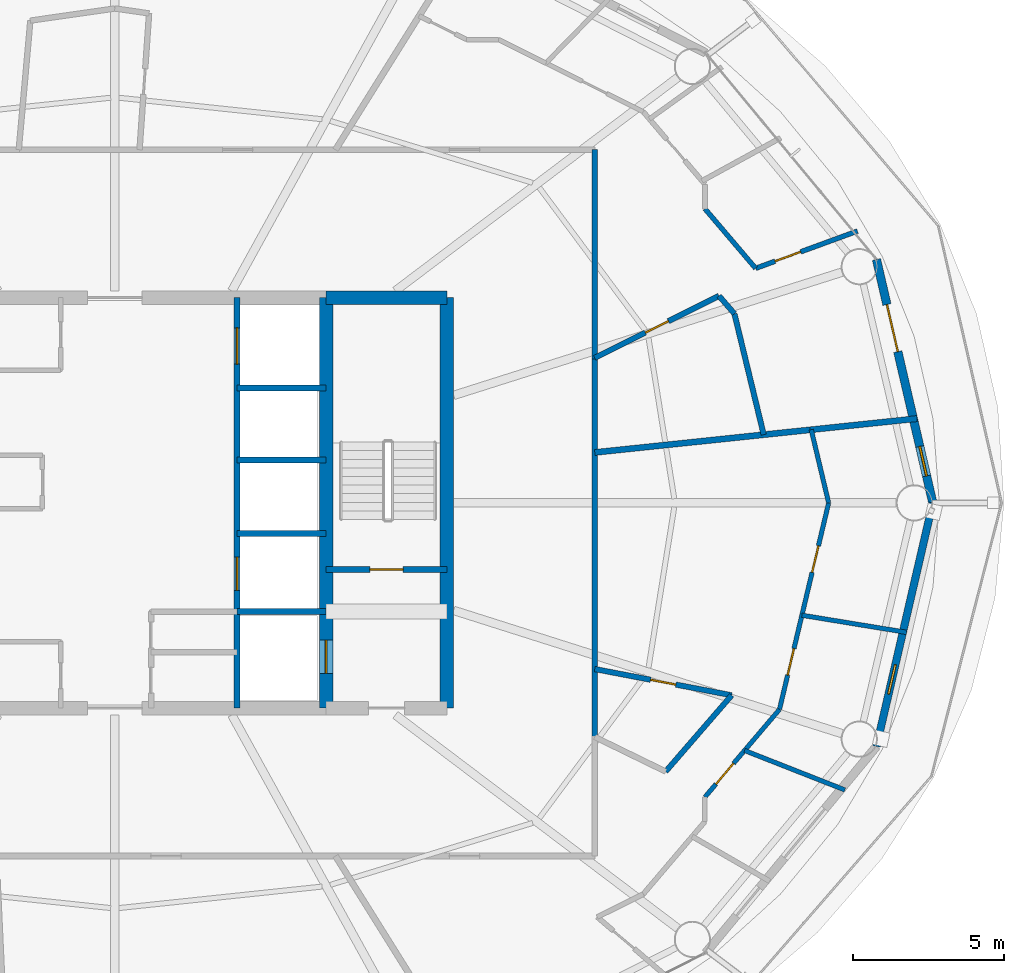
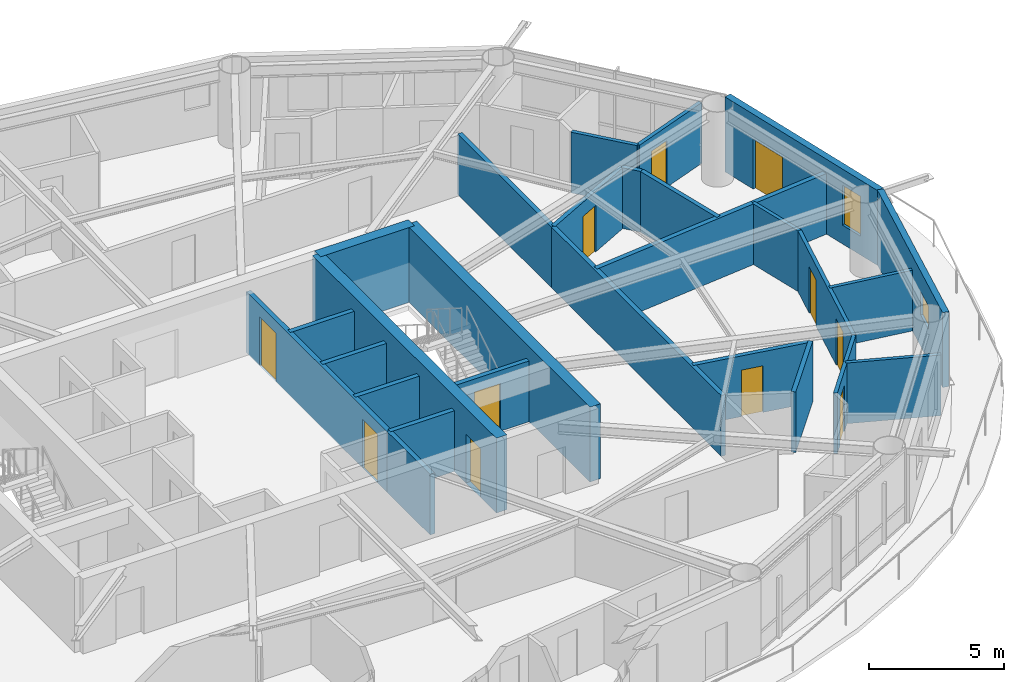
# One storey, part 23 of 28: 28 walls, 11 doors, 2 windows, 13 openings.
"""IFC4 building model written with IfcOpenShell, lengths in metres."""

from ifc_helpers import new_model, si_unit, direction, frame, frame_2d, origin, place, context, subcontext, project, spatial, rectangle, extrude, material, layer, layer_set, type_object, element, fill, save


model = new_model("IFC4")

# Units and contexts
model_context = context("Model", 3, precision=1e-05, world=origin(), true_north=direction((0.0, 1.0)))
body_context = subcontext(model_context, "Body", "Model", "MODEL_VIEW")
ifc_project = project(units=[si_unit("LENGTHUNIT", "METRE"), si_unit("AREAUNIT", "SQUARE_METRE"), si_unit("VOLUMEUNIT", "CUBIC_METRE"), si_unit("PLANEANGLEUNIT", "RADIAN"), si_unit("MASSUNIT", "GRAM", prefix="KILO")], contexts=[model_context])

# Site, building, storey
site_placement = place(None, origin())
site = spatial("IfcSite", under=ifc_project, at=site_placement, CompositionType="ELEMENT")
building_placement = place(site_placement, origin())
building = spatial("IfcBuilding", under=site, at=building_placement, Name="Sarneth Arch Tower", CompositionType="ELEMENT")
storey_placement = place(building_placement, frame((0.0, 0.0, 190.199951171875)))
storey = spatial("IfcBuildingStorey", under=building, at=storey_placement, Name="L48", CompositionType="ELEMENT", Elevation=190.199951171875)

# Walls
ifc_material_1 = material(Name="Concrete C50/60", Category="concrete")
ifc_layer_1 = layer(ifc_material_1, 0.449951171875)
ifc_layer_set_1 = layer_set([ifc_layer_1], Name="Concrete C50/60")
wall_type_1 = type_object("IfcWallType", Name="WALL-CORE-450", PredefinedType="SHEAR", material=ifc_layer_set_1)
wall_1_placement = place(storey_placement, frame((55.0, 48.800048828125, 0.0), z_axis=(0.0, 0.0, 1.0), x_axis=(1.0, 0.0, 0.0)))
element("IfcWall", 1, at=wall_1_placement, inside=storey, type_object=wall_type_1, Name="L48 Core shear wall N-E", PredefinedType="SHEAR", context=body_context, shape_type="SweptSolid", body=[
    extrude(rectangle(XDim=4.0, YDim=0.449951171875, at=frame_2d((2.0, 0.0))), origin(), (0.0, 0.0, 1.0), 3.380126953125),
])
wall_2_placement = place(storey_placement, frame((59.0, 35.199951171875, 0.0), z_axis=(0.0, 0.0, 1.0), x_axis=(0.0, 1.0, 0.0)))
element("IfcWall", 2, at=wall_2_placement, inside=storey, type_object=wall_type_1, Name="L48 Core shear wall E", PredefinedType="SHEAR", context=body_context, shape_type="SweptSolid", body=[
    extrude(rectangle(XDim=13.60009765625, YDim=0.449951171875, at=frame_2d((6.800048828125, 0.0))), origin(), (0.0, 0.0, 1.0), 3.380126953125),
])

# Wall, opening, door
wall_3_placement = place(storey_placement, frame((55.0, 35.199951171875, 0.0), z_axis=(0.0, 0.0, 1.0), x_axis=(0.0, 1.0, 0.0)))
wall_3 = element("IfcWall", 3, at=wall_3_placement, inside=storey, type_object=wall_type_1, Name="L48 Core shear wall WEB-E", PredefinedType="SHEAR", context=body_context, shape_type="SweptSolid", body=[
    extrude(rectangle(XDim=13.60009765625, YDim=0.449951171875, at=frame_2d((6.800048828125, 0.0))), origin(), (0.0, 0.0, 1.0), 3.380126953125),
])
opening_1_placement = place(wall_3_placement, frame((1.14990234375, 0.0, 0.0)))
opening_1 = element("IfcOpeningElement", 4, at=opening_1_placement, cuts=wall_3, Name="Opening LD-1", PredefinedType="OPENING", context=body_context, shape_type="SweptSolid", body=[
    extrude(rectangle(XDim=1.10009765625, YDim=2.199951171875, at=frame_2d((0.550048828125, 1.10009765625))), frame((0.0, 0.23486328125, 0.0), z_axis=(0.0, -1.0, 0.0), x_axis=(1.0, 0.0, 0.0)), (0.0, 0.0, 1.0), 0.469970703125),
])
ifc_material_2 = material(Name="Brushed Stainless Steel 304 lift landing door", Category="steel")
door_type_1 = type_object("IfcDoorType", Name="DR-LIFT-SLIDE-1100", OperationType="SLIDING_TO_LEFT", PredefinedType="DOOR", material=ifc_material_2)
door_1_placement = place(opening_1_placement, origin())
door_1 = element("IfcDoor", 5, at=door_1_placement, inside=storey, type_object=door_type_1, Name="L48 Firefighting lift landing door FL-2", OperationType="SLIDING_TO_RIGHT", OverallHeight=2.199951171875, OverallWidth=1.10009765625, PredefinedType="DOOR", context=body_context, shape_type="SweptSolid", body=[
    extrude(rectangle(XDim=1.10009765625, YDim=2.199951171875, at=frame_2d((0.550048828125, 1.10009765625))), frame((0.0, 0.02490234375, 0.0), z_axis=(0.0, -1.0, 0.0), x_axis=(1.0, 0.0, 0.0)), (0.0, 0.0, 1.0), 0.050048828125),
])
fill(opening_1, door_1)

# Walls
ifc_material_3 = material(Name="Double steel-stud corridor fire wall", Category="steel")
ifc_layer_2 = layer(ifc_material_3, 0.18994140625)
ifc_layer_set_2 = layer_set([ifc_layer_2], Name="Double steel-stud corridor fire wall")
wall_type_2 = type_object("IfcWallType", Name="WALL-CORR-190", PredefinedType="PARTITIONING", material=ifc_layer_set_2)
wall_4_placement = place(storey_placement, frame((63.89990234375, 46.841064453125, 0.0), z_axis=(0.0, 0.0, 1.0), x_axis=(0.0, -1.0, 0.0)))
element("IfcWall", 6, at=wall_4_placement, inside=storey, type_object=wall_type_2, Name="L48 Interior partition W-L48-TP-018", PredefinedType="PARTITIONING", context=body_context, shape_type="SweptSolid", body=[
    extrude(rectangle(XDim=12.631591796875, YDim=0.18994140625, at=frame_2d((6.31591796875, 0.0))), origin(), (0.0, 0.0, 1.0), 2.739990234375),
])
wall_5_placement = place(storey_placement, frame((63.89990234375, 53.699951171875, 0.0), z_axis=(0.0, 0.0, 1.0), x_axis=(0.0, -1.0, 0.0)))
element("IfcWall", 7, at=wall_5_placement, inside=storey, type_object=wall_type_2, Name="L48 Interior partition W-L48-TP-002", PredefinedType="PARTITIONING", context=body_context, shape_type="SweptSolid", body=[
    extrude(rectangle(XDim=6.9306640625, YDim=0.18994140625, at=frame_2d((3.46533203125, 0.0))), origin(), (0.0, 0.0, 1.0), 2.739990234375),
])

# Wall, opening, window
ifc_material_4 = material(Name="Extruded terracotta rainscreen on Concrete C40/50 backing", Category="masonry")
ifc_layer_3 = layer(ifc_material_4, 0.25)
ifc_layer_set_3 = layer_set([ifc_layer_3], Name="Extruded terracotta rainscreen on Concrete C40/50 backing")
wall_type_3 = type_object("IfcWallType", Name="WALL-EXT-SPAND-250", PredefinedType="SOLIDWALL", material=ifc_layer_set_3)
wall_6_placement = place(storey_placement, frame((73.232421875, 33.93310546875, 0.0), z_axis=(0.0, 0.0, 1.0), x_axis=(0.225473184558, 0.974249374157, 0.0)))
wall_6 = element("IfcWall", 8, at=wall_6_placement, inside=storey, type_object=wall_type_3, Name="L48 Terracotta perimeter wall 16", PredefinedType="SOLIDWALL", context=body_context, shape_type="SweptSolid", body=[
    extrude(rectangle(XDim=8.280029296875, YDim=0.25, at=frame_2d((4.14013671875, 0.0))), origin(), (0.0, 0.0, 1.0), 3.380126953125),
])
opening_2_placement = place(wall_6_placement, frame((1.7763671875, 0.0, 1.419921875)))
opening_2 = element("IfcOpeningElement", 9, at=opening_2_placement, cuts=wall_6, Name="Opening W-14", PredefinedType="OPENING", context=body_context, shape_type="SweptSolid", body=[
    extrude(rectangle(XDim=1.0, YDim=1.050048828125, at=frame_2d((0.5, 0.52490234375))), frame((0.0, 0.135009765625, 0.0), z_axis=(0.0, -1.0, 0.0), x_axis=(1.0, 0.0, 0.0)), (0.0, 0.0, 1.0), 0.27001953125),
])
ifc_material_5 = material(Name="Thermally broken Aluminium 6063-T6 and low-e laminated IGU", Category="aluminium")
window_type_1 = type_object("IfcWindowType", Name="WIN-TWR-1000x1050", PartitioningType="SINGLE_PANEL", PredefinedType="WINDOW", material=ifc_material_5)
window_1_placement = place(opening_2_placement, origin())
window_1 = element("IfcWindow", 10, at=window_1_placement, inside=storey, type_object=window_type_1, Name="L48 Dwelling bedroom window 05", OverallHeight=1.050048828125, OverallWidth=1.0, PartitioningType="SINGLE_PANEL", PredefinedType="WINDOW", context=body_context, shape_type="SweptSolid", body=[
    extrude(rectangle(XDim=1.0, YDim=1.050048828125, at=frame_2d((0.5, 0.52490234375))), frame((0.0, 0.030029296875, 0.0), z_axis=(0.0, -1.0, 0.0), x_axis=(1.0, 0.0, 0.0)), (0.0, 0.0, 1.0), 0.06005859375),
])
fill(opening_2, window_1)

# Wall, openings, door, window
ifc_material_6 = material(Name="Extruded terracotta rainscreen on Concrete C40/50 backing", Category="masonry")
ifc_layer_4 = layer(ifc_material_6, 0.280029296875)
ifc_layer_set_4 = layer_set([ifc_layer_4], Name="Extruded terracotta rainscreen on Concrete C40/50 backing")
wall_type_4 = type_object("IfcWallType", Name="WALL-EXT-TERRA-280", PredefinedType="SOLIDWALL", material=ifc_layer_set_4)
wall_7_placement = place(storey_placement, frame((75.099365234375, 42.0, 0.0), z_axis=(0.0, 0.0, 1.0), x_axis=(-0.225473184558, 0.974249374157, 0.0)))
wall_7 = element("IfcWall", 11, at=wall_7_placement, inside=storey, type_object=wall_type_4, Name="L48 Terracotta perimeter wall 01", PredefinedType="SOLIDWALL", context=body_context, shape_type="SweptSolid", body=[
    extrude(rectangle(XDim=8.280029296875, YDim=0.280029296875, at=frame_2d((4.14013671875, 0.0))), origin(), (0.0, 0.0, 1.0), 3.380126953125),
])
opening_3_placement = place(wall_7_placement, frame((5.143798828125, 0.0, 0.0)))
opening_3 = element("IfcOpeningElement", 12, at=opening_3_placement, cuts=wall_7, Name="Opening BD-1", PredefinedType="OPENING", context=body_context, shape_type="SweptSolid", body=[
    extrude(rectangle(XDim=1.60009765625, YDim=2.25, at=frame_2d((0.800048828125, 1.125))), frame((0.0, 0.14990234375, 0.0), z_axis=(0.0, -1.0, 0.0), x_axis=(1.0, 0.0, 0.0)), (0.0, 0.0, 1.0), 0.300048828125),
])
opening_4_placement = place(wall_7_placement, frame((0.918212890625, 0.0, 0.85009765625)))
opening_4 = element("IfcOpeningElement", 13, at=opening_4_placement, cuts=wall_7, Name="Opening W-11", PredefinedType="OPENING", context=body_context, shape_type="SweptSolid", body=[
    extrude(rectangle(XDim=1.0, YDim=1.800048828125, at=frame_2d((0.5, 0.89990234375))), frame((0.0, 0.14990234375, 0.0), z_axis=(0.0, -1.0, 0.0), x_axis=(1.0, 0.0, 0.0)), (0.0, 0.0, 1.0), 0.300048828125),
])
ifc_material_7 = material(Name="Thermally broken Aluminium 6063-T6 and laminated safety glass", Category="aluminium")
door_type_2 = type_object("IfcDoorType", Name="DR-BALC-GLZ-1600", OperationType="DOUBLE_DOOR_SINGLE_SWING", PredefinedType="DOOR", material=ifc_material_7)
door_2_placement = place(opening_3_placement, origin())
door_2 = element("IfcDoor", 14, at=door_2_placement, inside=storey, type_object=door_type_2, Name="L48 Balcony glazed door 01", OperationType="DOUBLE_DOOR_SINGLE_SWING", OverallHeight=2.25, OverallWidth=1.60009765625, PredefinedType="DOOR", context=body_context, shape_type="SweptSolid", body=[
    extrude(rectangle(XDim=1.60009765625, YDim=2.25, at=frame_2d((0.800048828125, 1.125))), frame((0.0, 0.02490234375, 0.0), z_axis=(0.0, -1.0, 0.0), x_axis=(1.0, 0.0, 0.0)), (0.0, 0.0, 1.0), 0.050048828125),
])
fill(opening_3, door_2)
ifc_material_8 = material(Name="Thermally broken Aluminium 6063-T6 and low-e laminated IGU", Category="aluminium")
window_type_2 = type_object("IfcWindowType", Name="WIN-TWR-1000x1800", PartitioningType="SINGLE_PANEL", PredefinedType="WINDOW", material=ifc_material_8)
window_2_placement = place(opening_4_placement, origin())
window_2 = element("IfcWindow", 15, at=window_2_placement, inside=storey, type_object=window_type_2, Name="L48 Dwelling bedroom window 06", OverallHeight=1.800048828125, OverallWidth=1.0, PartitioningType="SINGLE_PANEL", PredefinedType="WINDOW", context=body_context, shape_type="SweptSolid", body=[
    extrude(rectangle(XDim=1.0, YDim=1.800048828125, at=frame_2d((0.5, 0.89990234375))), frame((0.0, 0.030029296875, 0.0), z_axis=(0.0, -1.0, 0.0), x_axis=(1.0, 0.0, 0.0)), (0.0, 0.0, 1.0), 0.06005859375),
])
fill(opening_4, window_2)

# Wall, openings, doors
ifc_material_9 = material(Name="Acoustic gypsum stud partition", Category="gypsum")
ifc_layer_5 = layer(ifc_material_9, 0.14990234375)
ifc_layer_set_5 = layer_set([ifc_layer_5], Name="Acoustic gypsum stud partition")
wall_type_5 = type_object("IfcWallType", Name="WALL-PART-150", PredefinedType="PARTITIONING", material=ifc_layer_set_5)
wall_8_placement = place(storey_placement, frame((70.019287109375, 35.15771484375, 0.0), z_axis=(0.0, 0.0, 1.0), x_axis=(0.231658068135, 0.972797275627, 0.0)))
wall_8 = element("IfcWall", 16, at=wall_8_placement, inside=storey, type_object=wall_type_5, Name="L48 Interior partition W-L48-TP-119", PredefinedType="PARTITIONING", context=body_context, shape_type="SweptSolid", body=[
    extrude(rectangle(XDim=7.03369140625, YDim=0.14990234375, at=frame_2d((3.516845703125, 0.0))), origin(), (0.0, 0.0, 1.0), 2.739990234375),
])
opening_5_placement = place(wall_8_placement, frame((4.67041015625, 0.0, 0.0)))
opening_5 = element("IfcOpeningElement", 17, at=opening_5_placement, cuts=wall_8, Name="Opening ID-01", PredefinedType="OPENING", context=body_context, shape_type="SweptSolid", body=[
    extrude(rectangle(XDim=0.89990234375, YDim=2.10009765625, at=frame_2d((0.449951171875, 1.050048828125))), frame((0.0, 0.0849609375, 0.0), z_axis=(0.0, -1.0, 0.0), x_axis=(1.0, 0.0, 0.0)), (0.0, 0.0, 1.0), 0.169921875),
])
opening_6_placement = place(wall_8_placement, frame((1.169677734375, 0.0, 0.0)))
opening_6 = element("IfcOpeningElement", 18, at=opening_6_placement, cuts=wall_8, Name="Opening ID-01", PredefinedType="OPENING", context=body_context, shape_type="SweptSolid", body=[
    extrude(rectangle(XDim=0.89990234375, YDim=2.10009765625, at=frame_2d((0.449951171875, 1.050048828125))), frame((0.0, 0.0849609375, 0.0), z_axis=(0.0, -1.0, 0.0), x_axis=(1.0, 0.0, 0.0)), (0.0, 0.0, 1.0), 0.169921875),
])
ifc_material_10 = material(Name="Engineered hardwood flush door", Category="wood")
door_type_3 = type_object("IfcDoorType", Name="DR-INT-900", OperationType="SINGLE_SWING_LEFT", PredefinedType="DOOR", material=ifc_material_10)
door_3_placement = place(opening_5_placement, origin())
door_3 = element("IfcDoor", 19, at=door_3_placement, inside=storey, type_object=door_type_3, Name="L48 Interior door DR-L48-U6-BED2", OperationType="SINGLE_SWING_LEFT", OverallHeight=2.10009765625, OverallWidth=0.89990234375, PredefinedType="DOOR", context=body_context, shape_type="SweptSolid", body=[
    extrude(rectangle(XDim=0.89990234375, YDim=2.10009765625, at=frame_2d((0.449951171875, 1.050048828125))), frame((0.0, 0.02490234375, 0.0), z_axis=(0.0, -1.0, 0.0), x_axis=(1.0, 0.0, 0.0)), (0.0, 0.0, 1.0), 0.050048828125),
])
fill(opening_5, door_3)
door_4_placement = place(opening_6_placement, origin())
door_4 = element("IfcDoor", 20, at=door_4_placement, inside=storey, type_object=door_type_3, Name="L48 Interior door DR-L48-U6-BED1", OperationType="SINGLE_SWING_LEFT", OverallHeight=2.10009765625, OverallWidth=0.89990234375, PredefinedType="DOOR", context=body_context, shape_type="SweptSolid", body=[
    extrude(rectangle(XDim=0.89990234375, YDim=2.10009765625, at=frame_2d((0.449951171875, 1.050048828125))), frame((0.0, 0.02490234375, 0.0), z_axis=(0.0, -1.0, 0.0), x_axis=(1.0, 0.0, 0.0)), (0.0, 0.0, 1.0), 0.050048828125),
])
fill(opening_6, door_4)

# Walls
wall_9_placement = place(storey_placement, frame((72.186279296875, 32.489501953125, 0.0), z_axis=(0.0, 0.0, 1.0), x_axis=(-0.930633495056, 0.365952589662, 0.0)))
element("IfcWall", 21, at=wall_9_placement, inside=storey, type_object=wall_type_5, Name="L48 Interior partition W-L48-TP-122", PredefinedType="PARTITIONING", context=body_context, shape_type="SweptSolid", body=[
    extrude(rectangle(XDim=3.572509765625, YDim=0.14990234375, at=frame_2d((1.7861328125, 0.0))), origin(), (0.0, 0.0, 1.0), 2.739990234375),
])
wall_10_placement = place(storey_placement, frame((74.2294921875, 37.710693359375, 0.0), z_axis=(0.0, 0.0, 1.0), x_axis=(-0.98689451092, 0.161366738565, 0.0)))
element("IfcWall", 22, at=wall_10_placement, inside=storey, type_object=wall_type_5, Name="L48 Interior partition W-L48-TP-123", PredefinedType="PARTITIONING", context=body_context, shape_type="SweptSolid", body=[
    extrude(rectangle(XDim=3.51318359375, YDim=0.14990234375, at=frame_2d((1.756591796875, 0.0))), origin(), (0.0, 0.0, 1.0), 2.739990234375),
])
wall_11_placement = place(storey_placement, frame((71.648681640625, 42.0, 0.0), z_axis=(0.0, 0.0, 1.0), x_axis=(-0.231642596653, 0.972800959814, 0.0)))
element("IfcWall", 23, at=wall_11_placement, inside=storey, type_object=wall_type_5, Name="L48 Interior partition W-L48-TP-120", PredefinedType="PARTITIONING", context=body_context, shape_type="SweptSolid", body=[
    extrude(rectangle(XDim=2.49267578125, YDim=0.14990234375, at=frame_2d((1.246337890625, 0.0))), origin(), (0.0, 0.0, 1.0), 2.739990234375),
])

# Wall, opening, door
wall_12_placement = place(storey_placement, frame((67.550048828125, 32.255615234375, 0.0), z_axis=(0.0, 0.0, 1.0), x_axis=(0.648059335437, 0.761589848773, 0.0)))
wall_12 = element("IfcWall", 24, at=wall_12_placement, inside=storey, type_object=wall_type_5, Name="L48 Interior partition W-L48-TP-110", PredefinedType="PARTITIONING", context=body_context, shape_type="SweptSolid", body=[
    extrude(rectangle(XDim=3.810546875, YDim=0.14990234375, at=frame_2d((1.9052734375, 0.0))), origin(), (0.0, 0.0, 1.0), 2.739990234375),
])
opening_7_placement = place(wall_12_placement, frame((0.56201171875, 0.0, 0.0)))
opening_7 = element("IfcOpeningElement", 25, at=opening_7_placement, cuts=wall_12, Name="Opening ID-01", PredefinedType="OPENING", context=body_context, shape_type="SweptSolid", body=[
    extrude(rectangle(XDim=0.89990234375, YDim=2.10009765625, at=frame_2d((0.449951171875, 1.050048828125))), frame((0.0, 0.0849609375, 0.0), z_axis=(0.0, -1.0, 0.0), x_axis=(1.0, 0.0, 0.0)), (0.0, 0.0, 1.0), 0.169921875),
])
door_5_placement = place(opening_7_placement, origin())
door_5 = element("IfcDoor", 26, at=door_5_placement, inside=storey, type_object=door_type_3, Name="L48 Interior door DR-L48-U6-STD", OperationType="SINGLE_SWING_RIGHT", OverallHeight=2.10009765625, OverallWidth=0.89990234375, PredefinedType="DOOR", context=body_context, shape_type="SweptSolid", body=[
    extrude(rectangle(XDim=0.89990234375, YDim=2.10009765625, at=frame_2d((0.449951171875, 1.050048828125))), frame((0.0, 0.02490234375, 0.0), z_axis=(0.0, -1.0, 0.0), x_axis=(1.0, 0.0, 0.0)), (0.0, 0.0, 1.0), 0.050048828125),
])
fill(opening_7, door_5)

ifc_material_11 = material(Name="Kitchen wet service chase wall", Category="gypsum")
ifc_layer_6 = layer(ifc_material_11, 0.159912109375)
ifc_layer_set_6 = layer_set([ifc_layer_6], Name="Kitchen wet service chase wall")
wall_type_6 = type_object("IfcWallType", Name="WALL-PLUMB-160", PredefinedType="PLUMBINGWALL", material=ifc_layer_set_6)
wall_13_placement = place(storey_placement, frame((72.6025390625, 51.005859375, 0.0), z_axis=(0.0, 0.0, 1.0), x_axis=(-0.939057046145, -0.343761347572, 0.0)))
wall_13 = element("IfcWall", 27, at=wall_13_placement, inside=storey, type_object=wall_type_6, Name="L48 Interior partition W-L48-TP-020", PredefinedType="PLUMBINGWALL", context=body_context, shape_type="SweptSolid", body=[
    extrude(rectangle(XDim=3.59228515625, YDim=0.159912109375, at=frame_2d((1.796142578125, 0.0))), origin(), (0.0, 0.0, 1.0), 2.739990234375),
])
opening_8_placement = place(wall_13_placement, frame((2.006103515625, 0.0, 0.0)))
opening_8 = element("IfcOpeningElement", 28, at=opening_8_placement, cuts=wall_13, Name="Opening ID-01", PredefinedType="OPENING", context=body_context, shape_type="SweptSolid", body=[
    extrude(rectangle(XDim=0.89990234375, YDim=2.10009765625, at=frame_2d((0.449951171875, 1.050048828125))), frame((0.0, 0.08984375, 0.0), z_axis=(0.0, -1.0, 0.0), x_axis=(1.0, 0.0, 0.0)), (0.0, 0.0, 1.0), 0.179931640625),
])
door_6_placement = place(opening_8_placement, origin())
door_6 = element("IfcDoor", 29, at=door_6_placement, inside=storey, type_object=door_type_3, Name="L48 Interior door DR-L48-U1-KIT", OperationType="SINGLE_SWING_RIGHT", OverallHeight=2.10009765625, OverallWidth=0.89990234375, PredefinedType="DOOR", context=body_context, shape_type="SweptSolid", body=[
    extrude(rectangle(XDim=0.89990234375, YDim=2.10009765625, at=frame_2d((0.449951171875, 1.050048828125))), frame((0.0, 0.02490234375, 0.0), z_axis=(0.0, -1.0, 0.0), x_axis=(1.0, 0.0, 0.0)), (0.0, 0.0, 1.0), 0.050048828125),
])
fill(opening_8, door_6)

# Wall
wall_14_placement = place(storey_placement, frame((69.229248046875, 49.77099609375, 0.0), z_axis=(0.0, 0.0, 1.0), x_axis=(-0.648055845939, 0.761592818076, 0.0)))
element("IfcWall", 30, at=wall_14_placement, inside=storey, type_object=wall_type_6, Name="L48 Interior partition W-L48-TP-021", PredefinedType="PLUMBINGWALL", context=body_context, shape_type="SweptSolid", body=[
    extrude(rectangle(XDim=2.591064453125, YDim=0.159912109375, at=frame_2d((1.29541015625, 0.0))), origin(), (0.0, 0.0, 1.0), 2.739990234375),
])

# Wall, opening, door
ifc_material_12 = material(Name="Moisture-resistant plumbing chase wall", Category="gypsum")
ifc_layer_7 = layer(ifc_material_12, 0.179931640625)
ifc_layer_set_7 = layer_set([ifc_layer_7], Name="Moisture-resistant plumbing chase wall")
wall_type_7 = type_object("IfcWallType", Name="WALL-PLUMB-180", PredefinedType="PLUMBINGWALL", material=ifc_layer_set_7)
wall_15_placement = place(storey_placement, frame((68.434814453125, 35.626220703125, 0.0), z_axis=(0.0, 0.0, 1.0), x_axis=(-0.982105494501, 0.188331616227, 0.0)))
wall_15 = element("IfcWall", 31, at=wall_15_placement, inside=storey, type_object=wall_type_7, Name="L48 Interior partition W-L48-TP-116", PredefinedType="PLUMBINGWALL", context=body_context, shape_type="SweptSolid", body=[
    extrude(rectangle(XDim=4.617431640625, YDim=0.179931640625, at=frame_2d((2.30859375, 0.0))), origin(), (0.0, 0.0, 1.0), 2.739990234375),
])
opening_9_placement = place(wall_15_placement, frame((1.8837890625, 0.0, 0.0)))
opening_9 = element("IfcOpeningElement", 32, at=opening_9_placement, cuts=wall_15, Name="Opening ID-02", PredefinedType="OPENING", context=body_context, shape_type="SweptSolid", body=[
    extrude(rectangle(XDim=0.85009765625, YDim=2.10009765625, at=frame_2d((0.425048828125, 1.050048828125))), frame((0.0, 0.099853515625, 0.0), z_axis=(0.0, -1.0, 0.0), x_axis=(1.0, 0.0, 0.0)), (0.0, 0.0, 1.0), 0.199951171875),
])
ifc_material_13 = material(Name="Moisture-resistant bathroom timber door", Category="wood")
door_type_4 = type_object("IfcDoorType", Name="DR-INT-850", OperationType="SINGLE_SWING_RIGHT", PredefinedType="DOOR", material=ifc_material_13)
door_7_placement = place(opening_9_placement, origin())
door_7 = element("IfcDoor", 33, at=door_7_placement, inside=storey, type_object=door_type_4, Name="L48 Interior door DR-L48-U6-BATH", OperationType="SINGLE_SWING_RIGHT", OverallHeight=2.10009765625, OverallWidth=0.85009765625, PredefinedType="DOOR", context=body_context, shape_type="SweptSolid", body=[
    extrude(rectangle(XDim=0.85009765625, YDim=2.10009765625, at=frame_2d((0.425048828125, 1.050048828125))), frame((0.0, 0.02490234375, 0.0), z_axis=(0.0, -1.0, 0.0), x_axis=(1.0, 0.0, 0.0)), (0.0, 0.0, 1.0), 0.050048828125),
])
fill(opening_9, door_7)

wall_16_placement = place(storey_placement, frame((68.015625, 48.85791015625, 0.0), z_axis=(0.0, 0.0, 1.0), x_axis=(-0.894872643331, -0.446321579377, 0.0)))
wall_16 = element("IfcWall", 34, at=wall_16_placement, inside=storey, type_object=wall_type_7, Name="L48 Interior partition W-L48-TP-026", PredefinedType="PLUMBINGWALL", context=body_context, shape_type="SweptSolid", body=[
    extrude(rectangle(XDim=4.59912109375, YDim=0.179931640625, at=frame_2d((2.299560546875, 0.0))), origin(), (0.0, 0.0, 1.0), 2.739990234375),
])
opening_10_placement = place(wall_16_placement, frame((1.87451171875, 0.0, 0.0)))
opening_10 = element("IfcOpeningElement", 35, at=opening_10_placement, cuts=wall_16, Name="Opening ID-02", PredefinedType="OPENING", context=body_context, shape_type="SweptSolid", body=[
    extrude(rectangle(XDim=0.85009765625, YDim=2.10009765625, at=frame_2d((0.425048828125, 1.050048828125))), frame((0.0, 0.099853515625, 0.0), z_axis=(0.0, -1.0, 0.0), x_axis=(1.0, 0.0, 0.0)), (0.0, 0.0, 1.0), 0.199951171875),
])
door_8_placement = place(opening_10_placement, origin())
door_8 = element("IfcDoor", 36, at=door_8_placement, inside=storey, type_object=door_type_4, Name="L48 Interior door DR-L48-U1-BATH", OperationType="SINGLE_SWING_RIGHT", OverallHeight=2.10009765625, OverallWidth=0.85009765625, PredefinedType="DOOR", context=body_context, shape_type="SweptSolid", body=[
    extrude(rectangle(XDim=0.85009765625, YDim=2.10009765625, at=frame_2d((0.425048828125, 1.050048828125))), frame((0.0, 0.02490234375, 0.0), z_axis=(0.0, -1.0, 0.0), x_axis=(1.0, 0.0, 0.0)), (0.0, 0.0, 1.0), 0.050048828125),
])
fill(opening_10, door_8)

# Walls
wall_17_placement = place(storey_placement, frame((69.49755859375, 44.259521484375, 0.0), z_axis=(0.0, 0.0, 1.0), x_axis=(-0.235510241151, 0.97187186723, 0.0)))
element("IfcWall", 37, at=wall_17_placement, inside=storey, type_object=wall_type_7, Name="L48 Interior partition W-L48-TP-024", PredefinedType="PLUMBINGWALL", context=body_context, shape_type="SweptSolid", body=[
    extrude(rectangle(XDim=4.124755859375, YDim=0.179931640625, at=frame_2d((2.0625, 0.0))), origin(), (0.0, 0.0, 1.0), 2.739990234375),
])
wall_18_placement = place(storey_placement, frame((66.24755859375, 33.10009765625, 0.0), z_axis=(0.0, 0.0, 1.0), x_axis=(0.654579983518, 0.755992754712, 0.0)))
element("IfcWall", 38, at=wall_18_placement, inside=storey, type_object=wall_type_7, Name="L48 Interior partition W-L48-TP-115", PredefinedType="PLUMBINGWALL", context=body_context, shape_type="SweptSolid", body=[
    extrude(rectangle(XDim=3.341552734375, YDim=0.179931640625, at=frame_2d((1.6708984375, 0.0))), origin(), (0.0, 0.0, 1.0), 2.739990234375),
])
wall_19_placement = place(storey_placement, frame((68.526123046875, 48.268310546875, 0.0), z_axis=(0.0, 0.0, 1.0), x_axis=(-0.654572928685, 0.755998863116, 0.0)))
element("IfcWall", 39, at=wall_19_placement, inside=storey, type_object=wall_type_7, Name="L48 Interior partition W-L48-TP-025", PredefinedType="PLUMBINGWALL", context=body_context, shape_type="SweptSolid", body=[
    extrude(rectangle(XDim=0.77978515625, YDim=0.179931640625, at=frame_2d((0.389892578125, 0.0))), origin(), (0.0, 0.0, 1.0), 2.739990234375),
])

# Wall, opening, door
ifc_material_14 = material(Name="Aerated concrete blockwork C25/30", Category="masonry")
ifc_layer_8 = layer(ifc_material_14, 0.199951171875)
ifc_layer_set_8 = layer_set([ifc_layer_8], Name="Aerated concrete blockwork C25/30")
wall_type_8 = type_object("IfcWallType", Name="WALL-SHAFT-200", PredefinedType="SOLIDWALL", material=ifc_layer_set_8)
wall_20_placement = place(storey_placement, frame((55.0, 39.800048828125, 0.0), z_axis=(0.0, 0.0, 1.0), x_axis=(1.0, 0.0, 0.0)))
wall_20 = element("IfcWall", 40, at=wall_20_placement, inside=storey, type_object=wall_type_8, Name="L48 Interior partition W-L48-ST2-S", PredefinedType="SOLIDWALL", context=body_context, shape_type="SweptSolid", body=[
    extrude(rectangle(XDim=4.0, YDim=0.199951171875, at=frame_2d((2.0, 0.0))), origin(), (0.0, 0.0, 1.0), 2.739990234375),
])
opening_11_placement = place(wall_20_placement, frame((1.449951171875, 0.0, 0.0)))
opening_11 = element("IfcOpeningElement", 41, at=opening_11_placement, cuts=wall_20, Name="Opening FD-03", PredefinedType="OPENING", context=body_context, shape_type="SweptSolid", body=[
    extrude(rectangle(XDim=1.10009765625, YDim=2.14990234375, at=frame_2d((0.550048828125, 1.074951171875))), frame((0.0, 0.10986328125, 0.0), z_axis=(0.0, -1.0, 0.0), x_axis=(1.0, 0.0, 0.0)), (0.0, 0.0, 1.0), 0.219970703125),
])
ifc_material_15 = material(Name="Galvanised Steel S275 fire door set", Category="steel")
door_type_5 = type_object("IfcDoorType", Name="DR-FD90-1100", OperationType="SINGLE_SWING_LEFT", PredefinedType="DOOR", material=ifc_material_15)
door_9_placement = place(opening_11_placement, origin())
door_9 = element("IfcDoor", 42, at=door_9_placement, inside=storey, type_object=door_type_5, Name="L48 Interior door DR-L48-ST2", OperationType="SINGLE_SWING_RIGHT", OverallHeight=2.14990234375, OverallWidth=1.10009765625, PredefinedType="DOOR", context=body_context, shape_type="SweptSolid", body=[
    extrude(rectangle(XDim=1.10009765625, YDim=2.14990234375, at=frame_2d((0.550048828125, 1.074951171875))), frame((0.0, 0.02490234375, 0.0), z_axis=(0.0, -1.0, 0.0), x_axis=(1.0, 0.0, 0.0)), (0.0, 0.0, 1.0), 0.050048828125),
])
fill(opening_11, door_9)

# Walls
wall_21_placement = place(storey_placement, frame((52.050048828125, 35.199951171875, 0.0), z_axis=(0.0, 0.0, 1.0), x_axis=(0.0, 1.0, 0.0)))
element("IfcWall", 43, at=wall_21_placement, inside=storey, type_object=wall_type_8, Name="L48 Interior partition W-L48-FL2-W", PredefinedType="SOLIDWALL", context=body_context, shape_type="SweptSolid", body=[
    extrude(rectangle(XDim=3.199951171875, YDim=0.199951171875, at=frame_2d((1.60009765625, 0.0))), origin(), (0.0, 0.0, 1.0), 2.739990234375),
])
wall_22_placement = place(storey_placement, frame((52.050048828125, 38.39990234375, 0.0), z_axis=(0.0, 0.0, 1.0), x_axis=(1.0, 0.0, 0.0)))
element("IfcWall", 44, at=wall_22_placement, inside=storey, type_object=wall_type_8, Name="L48 Interior partition W-L48-FL2-N", PredefinedType="SOLIDWALL", context=body_context, shape_type="SweptSolid", body=[
    extrude(rectangle(XDim=2.949951171875, YDim=0.199951171875, at=frame_2d((1.47509765625, 0.0))), origin(), (0.0, 0.0, 1.0), 2.739990234375),
])

# Wall, openings, doors
wall_23_placement = place(storey_placement, frame((52.050048828125, 38.39990234375, 0.0), z_axis=(0.0, 0.0, 1.0), x_axis=(0.0, 1.0, 0.0)))
wall_23 = element("IfcWall", 45, at=wall_23_placement, inside=storey, type_object=wall_type_8, Name="L48 Interior partition W-L48-EASTBANK-FRONT", PredefinedType="SOLIDWALL", context=body_context, shape_type="SweptSolid", body=[
    extrude(rectangle(XDim=10.400146484375, YDim=0.199951171875, at=frame_2d((5.2001953125, 0.0))), origin(), (0.0, 0.0, 1.0), 2.739990234375),
])
opening_12_placement = place(wall_23_placement, frame((0.699951171875, 0.0, 0.0)))
opening_12 = element("IfcOpeningElement", 46, at=opening_12_placement, cuts=wall_23, Name="Opening LD-1", PredefinedType="OPENING", context=body_context, shape_type="SweptSolid", body=[
    extrude(rectangle(XDim=1.10009765625, YDim=2.199951171875, at=frame_2d((0.550048828125, 1.10009765625))), frame((0.0, 0.10986328125, 0.0), z_axis=(0.0, -1.0, 0.0), x_axis=(1.0, 0.0, 0.0)), (0.0, 0.0, 1.0), 0.219970703125),
])
opening_13_placement = place(wall_23_placement, frame((8.199951171875, 0.0, 0.0)))
opening_13 = element("IfcOpeningElement", 47, at=opening_13_placement, cuts=wall_23, Name="Opening LD-2", PredefinedType="OPENING", context=body_context, shape_type="SweptSolid", body=[
    extrude(rectangle(XDim=1.199951171875, YDim=2.199951171875, at=frame_2d((0.60009765625, 1.10009765625))), frame((0.0, 0.10986328125, 0.0), z_axis=(0.0, -1.0, 0.0), x_axis=(1.0, 0.0, 0.0)), (0.0, 0.0, 1.0), 0.219970703125),
])
door_10_placement = place(opening_12_placement, origin())
door_10 = element("IfcDoor", 48, at=door_10_placement, inside=storey, type_object=door_type_1, Name="L48 Lift landing door DR-L48-LD-PM2", OperationType="SLIDING_TO_LEFT", OverallHeight=2.199951171875, OverallWidth=1.10009765625, PredefinedType="DOOR", context=body_context, shape_type="SweptSolid", body=[
    extrude(rectangle(XDim=1.10009765625, YDim=2.199951171875, at=frame_2d((0.550048828125, 1.10009765625))), frame((0.0, 0.02490234375, 0.0), z_axis=(0.0, -1.0, 0.0), x_axis=(1.0, 0.0, 0.0)), (0.0, 0.0, 1.0), 0.050048828125),
])
fill(opening_12, door_10)
ifc_material_16 = material(Name="Brushed Stainless Steel 304 service lift door", Category="steel")
door_type_6 = type_object("IfcDoorType", Name="DR-LIFT-SLIDE-1200", OperationType="SLIDING_TO_RIGHT", PredefinedType="DOOR", material=ifc_material_16)
door_11_placement = place(opening_13_placement, origin())
door_11 = element("IfcDoor", 49, at=door_11_placement, inside=storey, type_object=door_type_6, Name="L48 Lift landing door DR-L48-LD-SL1", OperationType="SLIDING_TO_RIGHT", OverallHeight=2.199951171875, OverallWidth=1.199951171875, PredefinedType="DOOR", context=body_context, shape_type="SweptSolid", body=[
    extrude(rectangle(XDim=1.199951171875, YDim=2.199951171875, at=frame_2d((0.60009765625, 1.10009765625))), frame((0.0, 0.02490234375, 0.0), z_axis=(0.0, -1.0, 0.0), x_axis=(1.0, 0.0, 0.0)), (0.0, 0.0, 1.0), 0.050048828125),
])
fill(opening_13, door_11)

# Walls
for number, where, z_axis, x_axis, name in (
    (50, (52.050048828125, 40.97998046875, 0.0), (0.0, 0.0, 1.0), (1.0, 0.0, 0.0), "L48 Interior partition W-L48-EB-DIV-4098"),
    (51, (52.050048828125, 43.419921875, 0.0), (0.0, 0.0, 1.0), (1.0, 0.0, 0.0), "L48 Interior partition W-L48-EB-DIV-4342"),
    (52, (52.050048828125, 45.800048828125, 0.0), (0.0, 0.0, 1.0), (1.0, 0.0, 0.0), "L48 Interior partition W-L48-EB-DIV-4580"),
):
    element("IfcWall", number, at=place(storey_placement, frame(where, z_axis=z_axis, x_axis=x_axis)), inside=storey, type_object=wall_type_8, Name=name, PredefinedType="SOLIDWALL", context=body_context, shape_type="SweptSolid", body=[
        extrude(rectangle(XDim=2.949951171875, YDim=0.199951171875, at=frame_2d((1.47509765625, 0.0))), origin(), (0.0, 0.0, 1.0), 2.739990234375),
    ])
ifc_material_17 = material(Name="Double steel-stud acoustic drywall", Category="steel")
ifc_layer_9 = layer(ifc_material_17, 0.199951171875)
ifc_layer_set_9 = layer_set([ifc_layer_9], Name="Double steel-stud acoustic drywall")
wall_type_9 = type_object("IfcWallType", Name="WALL-UNIT-200", PredefinedType="PARTITIONING", material=ifc_layer_set_9)
wall_24_placement = place(storey_placement, frame((63.89990234375, 43.671142578125, 0.0), z_axis=(0.0, 0.0, 1.0), x_axis=(0.994523063153, 0.104517351942, 0.0)))
element("IfcWall", 53, at=wall_24_placement, inside=storey, type_object=wall_type_9, Name="L48 Interior partition W-L48-TP-037", PredefinedType="PARTITIONING", context=body_context, shape_type="SweptSolid", body=[
    extrude(rectangle(XDim=7.2109375, YDim=0.199951171875, at=frame_2d((3.60546875, 0.0))), origin(), (0.0, 0.0, 1.0), 2.739990234375),
])
wall_25_placement = place(storey_placement, frame((74.5751953125, 44.793212890625, 0.0), z_axis=(0.0, 0.0, 1.0), x_axis=(-0.994516359121, -0.104581123727, 0.0)))
element("IfcWall", 54, at=wall_25_placement, inside=storey, type_object=wall_type_9, Name="L48 Interior partition W-L48-TP-035", PredefinedType="PARTITIONING", context=body_context, shape_type="SweptSolid", body=[
    extrude(rectangle(XDim=3.555419921875, YDim=0.199951171875, at=frame_2d((1.77783203125, 0.0))), origin(), (0.0, 0.0, 1.0), 2.739990234375),
])

save(model, "model.ifc")
